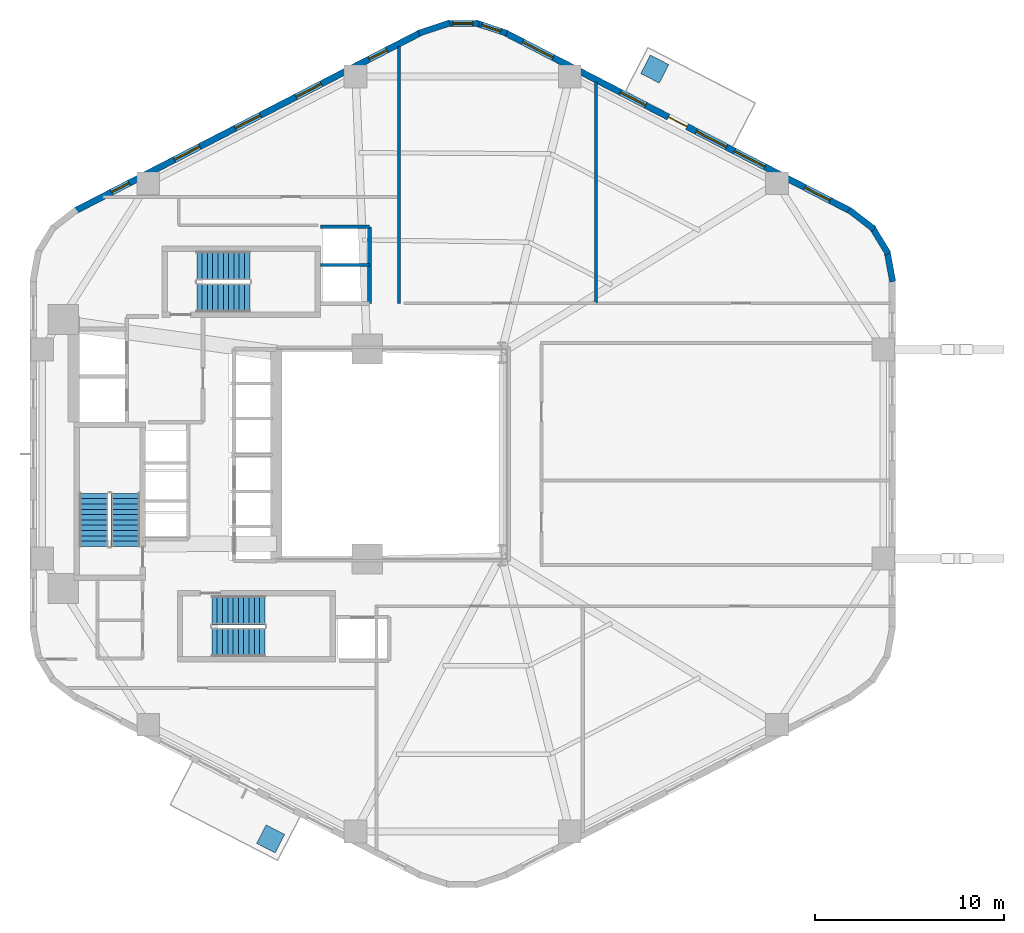
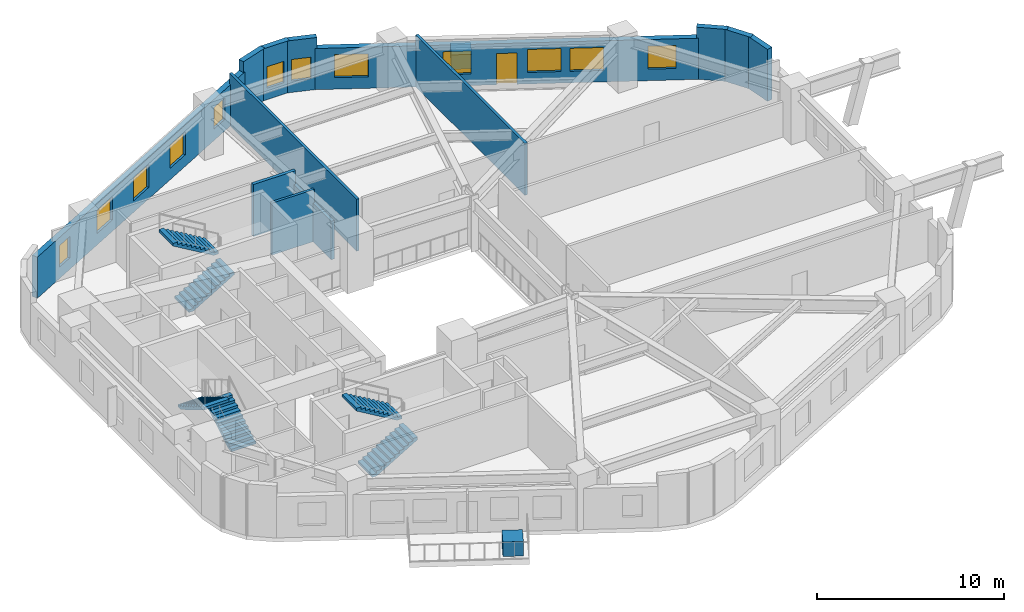
# One storey, part 5 of 7: 13 walls, 12 windows, 6 stair flights, 2 discrete accessories, 1 door, 13 openings, 3 elements without a shape of their own.
"""IFC4 building model written with IfcOpenShell, lengths in metres."""

from ifc_helpers import new_model, si_unit, direction, frame, frame_2d, origin, origin_2d, place, context, subcontext, project, spatial, polyline, rectangle, outline, extrude, material, layer, layer_set, type_object, element, fill, aggregate, save


model = new_model("IFC4")

# Units and contexts
model_context = context("Model", 3, precision=1e-05, world=origin(), true_north=direction((0.0, 1.0)))
body_context = subcontext(model_context, "Body", "Model", "MODEL_VIEW")
ifc_project = project(units=[si_unit("LENGTHUNIT", "METRE"), si_unit("AREAUNIT", "SQUARE_METRE"), si_unit("VOLUMEUNIT", "CUBIC_METRE"), si_unit("PLANEANGLEUNIT", "RADIAN"), si_unit("MASSUNIT", "GRAM", prefix="KILO"), si_unit("THERMODYNAMICTEMPERATUREUNIT", "KELVIN"), si_unit("POWERUNIT", "WATT")], contexts=[model_context])

# Site, building, storey
site_placement = place(None, origin())
site = spatial("IfcSite", under=ifc_project, at=site_placement, CompositionType="ELEMENT")
building_placement = place(site_placement, origin())
building = spatial("IfcBuilding", under=site, at=building_placement, Name="Skarre Station Tower", CompositionType="ELEMENT")
storey_placement = place(building_placement, frame((0.0, 0.0, 37.949951171875)))
storey = spatial("IfcBuildingStorey", under=building, at=storey_placement, Name="L09", CompositionType="ELEMENT", Elevation=37.949951171875)

# Wall, openings, windows, door
ifc_material_1 = material(Name="Precast concrete C45/55", Category="concrete")
ifc_layer_1 = layer(ifc_material_1, 0.340087890625, Name="Precast concrete C45/55")
ifc_layer_set_1 = layer_set([ifc_layer_1], Name="Precast concrete C45/55")
wall_type_1 = type_object("IfcWallType", Name="Nordic Honed Precast Facet Wall 340", PredefinedType="STANDARD", material=ifc_layer_set_1)
wall_1_placement = place(storey_placement, frame((39.631103515625, 46.257080078125, 0.0), z_axis=(0.0, 0.0, 1.0), x_axis=(0.888634413993, -0.458616264721, 0.0)))
wall_1 = element("IfcWall", 1, at=wall_1_placement, inside=storey, type_object=wall_type_1, Name="L09 Facet 0 Nordic Precast Masonry Wall", PredefinedType="STANDARD", context=body_context, shape_type="SweptSolid", body=[
    extrude(rectangle(XDim=20.53125, YDim=0.340087890625, at=frame_2d((10.265625, 0.0))), origin(), (0.0, 0.0, 1.0), 2.68408203125),
])
opening_1_placement = place(wall_1_placement, frame((9.716064453125, 0.0, 0.0)))
opening_1 = element("IfcOpeningElement", 2, at=opening_1_placement, cuts=wall_1, Name="Opening DR-BAL110", PredefinedType="OPENING", context=body_context, shape_type="SweptSolid", body=[
    extrude(rectangle(XDim=1.10009765625, YDim=2.0400390625, at=frame_2d((0.550048828125, 1.02001953125))), frame((0.0, 0.179931640625, 0.0), z_axis=(0.0, -1.0, 0.0), x_axis=(1.0, 0.0, 0.0)), (0.0, 0.0, 1.0), 0.360107421875),
])
opening_2_placement = place(wall_1_placement, frame((1.05810546875, 0.0, 0.75)))
opening_2 = element("IfcOpeningElement", 3, at=opening_2_placement, cuts=wall_1, Name="Opening WN-Z1A", PredefinedType="OPENING", context=body_context, shape_type="SweptSolid", body=[
    extrude(rectangle(XDim=1.800048828125, YDim=1.5, at=frame_2d((0.89990234375, 0.75))), frame((0.0, 0.179931640625, 0.0), z_axis=(0.0, -1.0, 0.0), x_axis=(1.0, 0.0, 0.0)), (0.0, 0.0, 1.0), 0.360107421875),
])
opening_3_placement = place(wall_1_placement, frame((6.862060546875, 0.0, 0.75)))
opening_3 = element("IfcOpeningElement", 4, at=opening_3_placement, cuts=wall_1, Name="Opening WN-Z1B", PredefinedType="OPENING", context=body_context, shape_type="SweptSolid", body=[
    extrude(rectangle(XDim=1.5, YDim=1.5, at=frame_2d((0.75, 0.75))), frame((0.0, 0.179931640625, 0.0), z_axis=(0.0, -1.0, 0.0), x_axis=(1.0, 0.0, 0.0)), (0.0, 0.0, 1.0), 0.360107421875),
])
opening_4_placement = place(wall_1_placement, frame((11.373046875, 0.0, 0.75)))
opening_4 = element("IfcOpeningElement", 5, at=opening_4_placement, cuts=wall_1, Name="Opening WN-Z1A", PredefinedType="OPENING", context=body_context, shape_type="SweptSolid", body=[
    extrude(rectangle(XDim=1.800048828125, YDim=1.5, at=frame_2d((0.89990234375, 0.75))), frame((0.0, 0.179931640625, 0.0), z_axis=(0.0, -1.0, 0.0), x_axis=(1.0, 0.0, 0.0)), (0.0, 0.0, 1.0), 0.360107421875),
])
opening_5_placement = place(wall_1_placement, frame((13.64794921875, 0.0, 0.75)))
opening_5 = element("IfcOpeningElement", 6, at=opening_5_placement, cuts=wall_1, Name="Opening WN-Z1A", PredefinedType="OPENING", context=body_context, shape_type="SweptSolid", body=[
    extrude(rectangle(XDim=1.800048828125, YDim=1.5, at=frame_2d((0.89990234375, 0.75))), frame((0.0, 0.179931640625, 0.0), z_axis=(0.0, -1.0, 0.0), x_axis=(1.0, 0.0, 0.0)), (0.0, 0.0, 1.0), 0.360107421875),
])
opening_6_placement = place(wall_1_placement, frame((17.822998046875, 0.0, 0.75)))
opening_6 = element("IfcOpeningElement", 7, at=opening_6_placement, cuts=wall_1, Name="Opening WN-Z1B", PredefinedType="OPENING", context=body_context, shape_type="SweptSolid", body=[
    extrude(rectangle(XDim=1.5, YDim=1.5, at=frame_2d((0.75, 0.75))), frame((0.0, 0.179931640625, 0.0), z_axis=(0.0, -1.0, 0.0), x_axis=(1.0, 0.0, 0.0)), (0.0, 0.0, 1.0), 0.360107421875),
])
ifc_material_2 = material(Name="Low-Iron Triple Glazing with Bronze Anodized Frame", Category="glass")
window_type_1 = type_object("IfcWindowType", Name="Nordic Punched Triple-Glazed Window 1500x1500", PartitioningType="SINGLE_PANEL", PredefinedType="WINDOW", material=ifc_material_2)
window_1_placement = place(opening_3_placement, origin())
window_1 = element("IfcWindow", 8, at=window_1_placement, inside=storey, type_object=window_type_1, Name="L09 Facade Window WL-FAC-L09-F0-2", OverallHeight=1.5, OverallWidth=1.5, PartitioningType="SINGLE_PANEL", PredefinedType="WINDOW", context=body_context, shape_type="SweptSolid", body=[
    extrude(rectangle(XDim=1.5, YDim=1.5, at=frame_2d((0.75, 0.75))), frame((0.0, 0.030029296875, 0.0), z_axis=(0.0, -1.0, 0.0), x_axis=(1.0, 0.0, 0.0)), (0.0, 0.0, 1.0), 0.06005859375),
])
fill(opening_3, window_1)
window_2_placement = place(opening_6_placement, origin())
window_2 = element("IfcWindow", 9, at=window_2_placement, inside=storey, type_object=window_type_1, Name="L09 Facade Window WL-FAC-L09-F0-5", OverallHeight=1.5, OverallWidth=1.5, PartitioningType="SINGLE_PANEL", PredefinedType="WINDOW", context=body_context, shape_type="SweptSolid", body=[
    extrude(rectangle(XDim=1.5, YDim=1.5, at=frame_2d((0.75, 0.75))), frame((0.0, 0.030029296875, 0.0), z_axis=(0.0, -1.0, 0.0), x_axis=(1.0, 0.0, 0.0)), (0.0, 0.0, 1.0), 0.06005859375),
])
fill(opening_6, window_2)
window_type_2 = type_object("IfcWindowType", Name="Nordic Punched Triple-Glazed Window 1800x1500", PartitioningType="SINGLE_PANEL", PredefinedType="WINDOW", material=ifc_material_2)
window_3_placement = place(opening_2_placement, origin())
window_3 = element("IfcWindow", 10, at=window_3_placement, inside=storey, type_object=window_type_2, Name="L09 Facade Window WL-FAC-L09-F0-1", OverallHeight=1.5, OverallWidth=1.800048828125, PartitioningType="SINGLE_PANEL", PredefinedType="WINDOW", context=body_context, shape_type="SweptSolid", body=[
    extrude(rectangle(XDim=1.800048828125, YDim=1.5, at=frame_2d((0.89990234375, 0.75))), frame((0.0, 0.030029296875, 0.0), z_axis=(0.0, -1.0, 0.0), x_axis=(1.0, 0.0, 0.0)), (0.0, 0.0, 1.0), 0.06005859375),
])
fill(opening_2, window_3)
window_4_placement = place(opening_4_placement, origin())
window_4 = element("IfcWindow", 11, at=window_4_placement, inside=storey, type_object=window_type_2, Name="L09 Facade Window WL-FAC-L09-F0-3", OverallHeight=1.5, OverallWidth=1.800048828125, PartitioningType="SINGLE_PANEL", PredefinedType="WINDOW", context=body_context, shape_type="SweptSolid", body=[
    extrude(rectangle(XDim=1.800048828125, YDim=1.5, at=frame_2d((0.89990234375, 0.75))), frame((0.0, 0.030029296875, 0.0), z_axis=(0.0, -1.0, 0.0), x_axis=(1.0, 0.0, 0.0)), (0.0, 0.0, 1.0), 0.06005859375),
])
fill(opening_4, window_4)
window_5_placement = place(opening_5_placement, origin())
window_5 = element("IfcWindow", 12, at=window_5_placement, inside=storey, type_object=window_type_2, Name="L09 Facade Window WL-FAC-L09-F0-4", OverallHeight=1.5, OverallWidth=1.800048828125, PartitioningType="SINGLE_PANEL", PredefinedType="WINDOW", context=body_context, shape_type="SweptSolid", body=[
    extrude(rectangle(XDim=1.800048828125, YDim=1.5, at=frame_2d((0.89990234375, 0.75))), frame((0.0, 0.030029296875, 0.0), z_axis=(0.0, -1.0, 0.0), x_axis=(1.0, 0.0, 0.0)), (0.0, 0.0, 1.0), 0.06005859375),
])
fill(opening_5, window_5)
ifc_material_3 = material(Name="Thermally Broken Aluminium & Triple Glazing", Category="aluminium")
door_type = type_object("IfcDoorType", Name="Terrace & Tree-Balcony Glazed Door 1100x2200", OperationType="SINGLE_SWING_LEFT", PredefinedType="DOOR", material=ifc_material_3)
door_placement = place(opening_1_placement, origin())
door = element("IfcDoor", 13, at=door_placement, inside=storey, type_object=door_type, Name="L09 TB-L09-F0 Tree-Balcony Glazed Door", OperationType="SINGLE_SWING_LEFT", OverallHeight=2.0400390625, OverallWidth=1.10009765625, PredefinedType="DOOR", context=body_context, shape_type="SweptSolid", body=[
    extrude(rectangle(XDim=1.10009765625, YDim=2.0400390625, at=frame_2d((0.550048828125, 1.02001953125))), frame((0.0, 0.02490234375, 0.0), z_axis=(0.0, -1.0, 0.0), x_axis=(1.0, 0.0, 0.0)), (0.0, 0.0, 1.0), 0.050048828125),
])
fill(opening_1, door)

# Wall, openings, windows
wall_2_placement = place(storey_placement, frame((16.924072265625, 36.841064453125, 0.0), z_axis=(0.0, 0.0, 1.0), x_axis=(0.888634413993, 0.458616264721, 0.0)))
wall_2 = element("IfcWall", 14, at=wall_2_placement, inside=storey, type_object=wall_type_1, Name="L09 Facet 1 Nordic Precast Masonry Wall", PredefinedType="STANDARD", context=body_context, shape_type="SweptSolid", body=[
    extrude(rectangle(XDim=20.53125, YDim=0.340087890625, at=frame_2d((10.265625, 0.0))), origin(), (0.0, 0.0, 1.0), 2.68408203125),
])
opening_7_placement = place(wall_2_placement, frame((2.160888671875, 0.0, 0.75)))
opening_7 = element("IfcOpeningElement", 15, at=opening_7_placement, cuts=wall_2, Name="Opening WN-SLT", PredefinedType="OPENING", context=body_context, shape_type="SweptSolid", body=[
    extrude(rectangle(XDim=1.050048828125, YDim=1.39990234375, at=frame_2d((0.52490234375, 0.699951171875))), frame((0.0, 0.179931640625, 0.0), z_axis=(0.0, -1.0, 0.0), x_axis=(1.0, 0.0, 0.0)), (0.0, 0.0, 1.0), 0.360107421875),
])
opening_8_placement = place(wall_2_placement, frame((5.903076171875, 0.0, 0.75)))
opening_8 = element("IfcOpeningElement", 16, at=opening_8_placement, cuts=wall_2, Name="Opening WN-Z1B", PredefinedType="OPENING", context=body_context, shape_type="SweptSolid", body=[
    extrude(rectangle(XDim=1.5, YDim=1.5, at=frame_2d((0.75, 0.75))), frame((0.0, 0.179931640625, 0.0), z_axis=(0.0, -1.0, 0.0), x_axis=(1.0, 0.0, 0.0)), (0.0, 0.0, 1.0), 0.360107421875),
])
opening_9_placement = place(wall_2_placement, frame((9.51611328125, 0.0, 0.75)))
opening_9 = element("IfcOpeningElement", 17, at=opening_9_placement, cuts=wall_2, Name="Opening WN-Z1B", PredefinedType="OPENING", context=body_context, shape_type="SweptSolid", body=[
    extrude(rectangle(XDim=1.5, YDim=1.5, at=frame_2d((0.75, 0.75))), frame((0.0, 0.179931640625, 0.0), z_axis=(0.0, -1.0, 0.0), x_axis=(1.0, 0.0, 0.0)), (0.0, 0.0, 1.0), 0.360107421875),
])
opening_10_placement = place(wall_2_placement, frame((13.12890625, 0.0, 0.75)))
opening_10 = element("IfcOpeningElement", 18, at=opening_10_placement, cuts=wall_2, Name="Opening WN-Z1B", PredefinedType="OPENING", context=body_context, shape_type="SweptSolid", body=[
    extrude(rectangle(XDim=1.5, YDim=1.5, at=frame_2d((0.75, 0.75))), frame((0.0, 0.179931640625, 0.0), z_axis=(0.0, -1.0, 0.0), x_axis=(1.0, 0.0, 0.0)), (0.0, 0.0, 1.0), 0.360107421875),
])
opening_11_placement = place(wall_2_placement, frame((17.47607421875, 0.0, 0.75)))
opening_11 = element("IfcOpeningElement", 19, at=opening_11_placement, cuts=wall_2, Name="Opening WN-SLT", PredefinedType="OPENING", context=body_context, shape_type="SweptSolid", body=[
    extrude(rectangle(XDim=1.050048828125, YDim=1.39990234375, at=frame_2d((0.52490234375, 0.699951171875))), frame((0.0, 0.179931640625, 0.0), z_axis=(0.0, -1.0, 0.0), x_axis=(1.0, 0.0, 0.0)), (0.0, 0.0, 1.0), 0.360107421875),
])
window_type_3 = type_object("IfcWindowType", Name="Nordic Corner Slot Window 1050x1400", PartitioningType="SINGLE_PANEL", PredefinedType="WINDOW", material=ifc_material_2)
window_6_placement = place(opening_7_placement, origin())
window_6 = element("IfcWindow", 20, at=window_6_placement, inside=storey, type_object=window_type_3, Name="L09 Facade Window WL-FAC-L09-F1-1", OverallHeight=1.39990234375, OverallWidth=1.050048828125, PartitioningType="SINGLE_PANEL", PredefinedType="WINDOW", context=body_context, shape_type="SweptSolid", body=[
    extrude(rectangle(XDim=1.050048828125, YDim=1.39990234375, at=frame_2d((0.52490234375, 0.699951171875))), frame((0.0, 0.030029296875, 0.0), z_axis=(0.0, -1.0, 0.0), x_axis=(1.0, 0.0, 0.0)), (0.0, 0.0, 1.0), 0.06005859375),
])
fill(opening_7, window_6)
window_7_placement = place(opening_11_placement, origin())
window_7 = element("IfcWindow", 21, at=window_7_placement, inside=storey, type_object=window_type_3, Name="L09 Facade Window WL-FAC-L09-F1-5", OverallHeight=1.39990234375, OverallWidth=1.050048828125, PartitioningType="SINGLE_PANEL", PredefinedType="WINDOW", context=body_context, shape_type="SweptSolid", body=[
    extrude(rectangle(XDim=1.050048828125, YDim=1.39990234375, at=frame_2d((0.52490234375, 0.699951171875))), frame((0.0, 0.030029296875, 0.0), z_axis=(0.0, -1.0, 0.0), x_axis=(1.0, 0.0, 0.0)), (0.0, 0.0, 1.0), 0.06005859375),
])
fill(opening_11, window_7)
window_8_placement = place(opening_8_placement, origin())
window_8 = element("IfcWindow", 22, at=window_8_placement, inside=storey, type_object=window_type_1, Name="L09 Facade Window WL-FAC-L09-F1-2", OverallHeight=1.5, OverallWidth=1.5, PartitioningType="SINGLE_PANEL", PredefinedType="WINDOW", context=body_context, shape_type="SweptSolid", body=[
    extrude(rectangle(XDim=1.5, YDim=1.5, at=frame_2d((0.75, 0.75))), frame((0.0, 0.030029296875, 0.0), z_axis=(0.0, -1.0, 0.0), x_axis=(1.0, 0.0, 0.0)), (0.0, 0.0, 1.0), 0.06005859375),
])
fill(opening_8, window_8)
window_9_placement = place(opening_9_placement, origin())
window_9 = element("IfcWindow", 23, at=window_9_placement, inside=storey, type_object=window_type_1, Name="L09 Facade Window WL-FAC-L09-F1-3", OverallHeight=1.5, OverallWidth=1.5, PartitioningType="SINGLE_PANEL", PredefinedType="WINDOW", context=body_context, shape_type="SweptSolid", body=[
    extrude(rectangle(XDim=1.5, YDim=1.5, at=frame_2d((0.75, 0.75))), frame((0.0, 0.030029296875, 0.0), z_axis=(0.0, -1.0, 0.0), x_axis=(1.0, 0.0, 0.0)), (0.0, 0.0, 1.0), 0.06005859375),
])
fill(opening_9, window_9)
window_10_placement = place(opening_10_placement, origin())
window_10 = element("IfcWindow", 24, at=window_10_placement, inside=storey, type_object=window_type_1, Name="L09 Facade Window WL-FAC-L09-F1-4", OverallHeight=1.5, OverallWidth=1.5, PartitioningType="SINGLE_PANEL", PredefinedType="WINDOW", context=body_context, shape_type="SweptSolid", body=[
    extrude(rectangle(XDim=1.5, YDim=1.5, at=frame_2d((0.75, 0.75))), frame((0.0, 0.030029296875, 0.0), z_axis=(0.0, -1.0, 0.0), x_axis=(1.0, 0.0, 0.0)), (0.0, 0.0, 1.0), 0.06005859375),
])
fill(opening_10, window_10)

# Walls
ifc_layer_2 = layer(ifc_material_1, 0.330078125, Name="Precast concrete C45/55")
ifc_layer_set_2 = layer_set([ifc_layer_2], Name="Precast concrete C45/55")
wall_type_2 = type_object("IfcWallType", Name="Nordic Rounded Corner Precast Wall 330", PredefinedType="STANDARD", material=ifc_layer_set_2)
wall_3_placement = place(storey_placement, frame((57.802001953125, 36.90087890625, 0.0), z_axis=(0.0, 0.0, 1.0), x_axis=(0.790691856293, -0.61221433207, 0.0)))
element("IfcWall", 25, at=wall_3_placement, inside=storey, type_object=wall_type_2, Name="L09 Rounded Corner Precast Wall F0-1", PredefinedType="STANDARD", context=body_context, shape_type="SweptSolid", body=[
    extrude(rectangle(XDim=1.67578125, YDim=0.330078125, at=frame_2d((0.837890625, 0.0))), origin(), (0.0, 0.0, 1.0), 3.39013671875),
])
wall_4_placement = place(storey_placement, frame((59.001953125, 36.014892578125, 0.0), z_axis=(0.0, 0.0, 1.0), x_axis=(0.520584129191, -0.853810379671, 0.0)))
element("IfcWall", 26, at=wall_4_placement, inside=storey, type_object=wall_type_2, Name="L09 Rounded Corner Precast Wall F0-2", PredefinedType="STANDARD", context=body_context, shape_type="SweptSolid", body=[
    extrude(rectangle(XDim=1.677001953125, YDim=0.330078125, at=frame_2d((0.83837890625, 0.0))), origin(), (0.0, 0.0, 1.0), 3.39013671875),
])
wall_5_placement = place(storey_placement, frame((59.80810546875, 34.758056640625, 0.0), z_axis=(0.0, 0.0, 1.0), x_axis=(0.181714143354, -0.983351397063, 0.0)))
element("IfcWall", 27, at=wall_5_placement, inside=storey, type_object=wall_type_2, Name="L09 Rounded Corner Precast Wall F0-3", PredefinedType="STANDARD", context=body_context, shape_type="SweptSolid", body=[
    extrude(rectangle(XDim=1.677978515625, YDim=0.330078125, at=frame_2d((0.8388671875, 0.0))), origin(), (0.0, 0.0, 1.0), 3.39013671875),
])
wall_6_placement = place(storey_placement, frame((35.0810546875, 46.23095703125, 0.0), z_axis=(0.0, 0.0, 1.0), x_axis=(0.94976901097, 0.312951794691, 0.0)))
element("IfcWall", 28, at=wall_6_placement, inside=storey, type_object=wall_type_2, Name="L09 Rounded Corner Precast Wall F1-1", PredefinedType="STANDARD", context=body_context, shape_type="SweptSolid", body=[
    extrude(rectangle(XDim=1.722412109375, YDim=0.330078125, at=frame_2d((0.861328125, 0.0))), origin(), (0.0, 0.0, 1.0), 3.39013671875),
])

# Wall, opening, window
wall_7_placement = place(storey_placement, frame((36.5390625, 46.740966796875, 0.0), z_axis=(0.0, 0.0, 1.0), x_axis=(1.0, 0.0, 0.0)))
wall_7 = element("IfcWall", 29, at=wall_7_placement, inside=storey, type_object=wall_type_2, Name="L09 Rounded Corner Precast Wall F1-2", PredefinedType="STANDARD", context=body_context, shape_type="SweptSolid", body=[
    extrude(rectangle(XDim=1.721923828125, YDim=0.330078125, at=frame_2d((0.86083984375, 0.0))), origin(), (0.0, 0.0, 1.0), 3.39013671875),
])
opening_12_placement = place(wall_7_placement, frame((0.3359375, 0.0, 0.75)))
opening_12 = element("IfcOpeningElement", 30, at=opening_12_placement, cuts=wall_7, Name="Opening WN-SLT", PredefinedType="OPENING", context=body_context, shape_type="SweptSolid", body=[
    extrude(rectangle(XDim=1.050048828125, YDim=1.39990234375, at=frame_2d((0.52490234375, 0.699951171875))), frame((0.0, 0.175048828125, 0.0), z_axis=(0.0, -1.0, 0.0), x_axis=(1.0, 0.0, 0.0)), (0.0, 0.0, 1.0), 0.35009765625),
])
window_11_placement = place(opening_12_placement, origin())
window_11 = element("IfcWindow", 31, at=window_11_placement, inside=storey, type_object=window_type_3, Name="L09 Apex Corner Slot Window F1-2", OverallHeight=1.39990234375, OverallWidth=1.050048828125, PartitioningType="SINGLE_PANEL", PredefinedType="WINDOW", context=body_context, shape_type="SweptSolid", body=[
    extrude(rectangle(XDim=1.050048828125, YDim=1.39990234375, at=frame_2d((0.52490234375, 0.699951171875))), frame((0.0, 0.030029296875, 0.0), z_axis=(0.0, -1.0, 0.0), x_axis=(1.0, 0.0, 0.0)), (0.0, 0.0, 1.0), 0.06005859375),
])
fill(opening_12, window_11)

wall_8_placement = place(storey_placement, frame((38.0830078125, 46.77001953125, 0.0), z_axis=(0.0, 0.0, 1.0), x_axis=(0.94976901097, -0.312951794691, 0.0)))
wall_8 = element("IfcWall", 32, at=wall_8_placement, inside=storey, type_object=wall_type_2, Name="L09 Rounded Corner Precast Wall F1-3", PredefinedType="STANDARD", context=body_context, shape_type="SweptSolid", body=[
    extrude(rectangle(XDim=1.722412109375, YDim=0.330078125, at=frame_2d((0.861328125, 0.0))), origin(), (0.0, 0.0, 1.0), 3.39013671875),
])
opening_13_placement = place(wall_8_placement, frame((0.3359375, 0.0, 0.75)))
opening_13 = element("IfcOpeningElement", 33, at=opening_13_placement, cuts=wall_8, Name="Opening WN-SLT", PredefinedType="OPENING", context=body_context, shape_type="SweptSolid", body=[
    extrude(rectangle(XDim=1.050048828125, YDim=1.39990234375, at=frame_2d((0.52490234375, 0.699951171875))), frame((0.0, 0.175048828125, 0.0), z_axis=(0.0, -1.0, 0.0), x_axis=(1.0, 0.0, 0.0)), (0.0, 0.0, 1.0), 0.35009765625),
])
window_12_placement = place(opening_13_placement, origin())
window_12 = element("IfcWindow", 34, at=window_12_placement, inside=storey, type_object=window_type_3, Name="L09 Apex Corner Slot Window F1-3", OverallHeight=1.39990234375, OverallWidth=1.050048828125, PartitioningType="SINGLE_PANEL", PredefinedType="WINDOW", context=body_context, shape_type="SweptSolid", body=[
    extrude(rectangle(XDim=1.050048828125, YDim=1.39990234375, at=frame_2d((0.52490234375, 0.699951171875))), frame((0.0, 0.030029296875, 0.0), z_axis=(0.0, -1.0, 0.0), x_axis=(1.0, 0.0, 0.0)), (0.0, 0.0, 1.0), 0.06005859375),
])
fill(opening_13, window_12)

# Walls
ifc_material_4 = material(Name="Gypsum Concrete Shaft Assembly C30/37", Category="concrete")
ifc_layer_3 = layer(ifc_material_4, 0.199951171875, Name="Gypsum Concrete Shaft Assembly C30/37")
ifc_layer_set_3 = layer_set([ifc_layer_3], Name="Gypsum Concrete Shaft Assembly C30/37")
wall_type_3 = type_object("IfcWallType", Name="Shaft & Core Fire Partition 200", PredefinedType="PARTITIONING", material=ifc_layer_set_3)
wall_9_placement = place(storey_placement, frame((32.47998046875, 31.949951171875, 0.0), z_axis=(0.0, 0.0, 1.0), x_axis=(0.0, 1.0, 0.0)))
element("IfcWall", 35, at=wall_9_placement, inside=storey, type_object=wall_type_3, Name="L09 Interior Partition WL-PT-L09-EX-E", PredefinedType="PARTITIONING", context=body_context, shape_type="SweptSolid", body=[
    extrude(rectangle(XDim=4.050048828125, YDim=0.199951171875, at=frame_2d((2.02490234375, 0.0))), origin(), (0.0, 0.0, 1.0), 2.512939453125),
])
wall_10_placement = place(storey_placement, frame((29.8798828125, 36.0, 0.0), z_axis=(0.0, 0.0, 1.0), x_axis=(1.0, 0.0, 0.0)))
element("IfcWall", 36, at=wall_10_placement, inside=storey, type_object=wall_type_3, Name="L09 Interior Partition WL-PT-L09-EX-N", PredefinedType="PARTITIONING", context=body_context, shape_type="SweptSolid", body=[
    extrude(rectangle(XDim=2.60009765625, YDim=0.199951171875, at=frame_2d((1.300048828125, 0.0))), origin(), (0.0, 0.0, 1.0), 3.39013671875),
])
wall_11_placement = place(storey_placement, frame((29.875, 33.97998046875, 0.0), z_axis=(0.0, 0.0, 1.0), x_axis=(1.0, 0.0, 0.0)))
element("IfcWall", 37, at=wall_11_placement, inside=storey, type_object=wall_type_3, Name="L09 Interior Partition WL-PT-L09-EX-DIV", PredefinedType="PARTITIONING", context=body_context, shape_type="SweptSolid", body=[
    extrude(rectangle(XDim=2.60498046875, YDim=0.159912109375, at=frame_2d((1.302490234375, 0.0))), origin(), (0.0, 0.0, 1.0), 3.39013671875),
])
ifc_material_5 = material(Name="Acoustic Steel-Stud Gypsum Partition", Category="steel")
ifc_layer_4 = layer(ifc_material_5, 0.1650390625, Name="Acoustic Steel-Stud Gypsum Partition")
ifc_layer_set_4 = layer_set([ifc_layer_4], Name="Acoustic Steel-Stud Gypsum Partition")
wall_type_4 = type_object("IfcWallType", Name="Suite Demising Acoustic Partition 165", PredefinedType="PARTITIONING", material=ifc_layer_set_4)
wall_12_placement = place(storey_placement, frame((34.0400390625, 31.9599609375, 0.0), z_axis=(0.0, 0.0, 1.0), x_axis=(0.0, 1.0, 0.0)))
element("IfcWall", 38, at=wall_12_placement, inside=storey, type_object=wall_type_4, Name="L09 Interior Partition WL-PT-L09-NW-WBND", PredefinedType="PARTITIONING", context=body_context, shape_type="SweptSolid", body=[
    extrude(rectangle(XDim=13.5791015625, YDim=0.1650390625, at=frame_2d((6.78955078125, 0.0))), origin(), (0.0, 0.0, 1.0), 3.39013671875),
])
wall_13_placement = place(storey_placement, frame((44.43310546875, 31.969970703125, 0.0), z_axis=(0.0, 0.0, 1.0), x_axis=(0.0, 1.0, 0.0)))
element("IfcWall", 39, at=wall_13_placement, inside=storey, type_object=wall_type_4, Name="L09 Interior Partition WL-PT-L09-NW-P1", PredefinedType="PARTITIONING", context=body_context, shape_type="SweptSolid", body=[
    extrude(rectangle(XDim=11.674072265625, YDim=0.1650390625, at=frame_2d((5.8369140625, 0.0))), origin(), (0.0, 0.0, 1.0), 3.39013671875),
])

# Stair, stair flights
ifc_material_6 = material(Name="Concrete C40/50", Category="concrete")
stair_type_1 = type_object("IfcStairType", Name="Reinforced Concrete Exit Stair ST-1", PredefinedType="HALF_TURN_STAIR", material=ifc_material_6)
stair_1_placement = place(storey_placement, origin())
stair_1 = element("IfcStair", 40, at=stair_1_placement, inside=storey, type_object=stair_type_1, Name="L09 Core Exit Stair ST-1", PredefinedType="HALF_TURN_STAIR")
stair_flight_type_1 = type_object("IfcStairFlightType", Name="Reinforced Concrete Stair Flight ST-1", PredefinedType="STRAIGHT", material=ifc_material_6)
stair_flight_1_placement = place(storey_placement, frame((19.590087890625, 19.1201171875, 0.0), z_axis=(0.0, 0.0, 1.0), x_axis=(0.0, 1.0, 0.0)))
stair_flight_1 = element("IfcStairFlight", 41, at=stair_flight_1_placement, type_object=stair_flight_type_1, Name="ST-1 flight 1", NumberOfRisers=11, NumberOfTreads=10, PredefinedType="STRAIGHT", RiserHeight=0.165909091, TreadLength=0.28, context=body_context, shape_type="SweptSolid", body=[
    extrude(outline(polyline([(0.0, 0.0), (0.0, 0.166015625), (0.280029296875, 0.166015625), (0.280029296875, 0.331787109375), (0.56005859375, 0.331787109375), (0.56005859375, 0.497802734375), (0.840087890625, 0.497802734375), (0.840087890625, 0.66357421875), (1.1201171875, 0.66357421875), (1.1201171875, 0.82958984375), (1.39990234375, 0.82958984375), (1.39990234375, 0.995361328125), (1.679931640625, 0.995361328125), (1.679931640625, 1.161376953125), (1.9599609375, 1.161376953125), (1.9599609375, 1.327392578125), (2.239990234375, 1.327392578125), (2.239990234375, 1.4931640625), (2.52001953125, 1.4931640625), (2.52001953125, 1.6591796875), (2.800048828125, 1.6591796875), (2.800048828125, 1.824951171875), (2.800048828125, 1.48486328125), (0.2939453125, 0.0), (0.0, 0.0)])), frame((0.0, 0.760009765625, 0.0), z_axis=(0.0, -1.0, 0.0), x_axis=(1.0, 0.0, 0.0)), (0.0, 0.0, 1.0), 1.52001953125),
])
stair_flight_2_placement = place(storey_placement, frame((17.909912109375, 21.919921875, 1.824951171875), z_axis=(0.0, 0.0, 1.0), x_axis=(0.0, -1.0, 0.0)))
stair_flight_2 = element("IfcStairFlight", 42, at=stair_flight_2_placement, type_object=stair_flight_type_1, Name="ST-1 flight 2", NumberOfRisers=11, NumberOfTreads=10, PredefinedType="STRAIGHT", RiserHeight=0.165909091, TreadLength=0.28, context=body_context, shape_type="SweptSolid", body=[
    extrude(outline(polyline([(0.0, 0.0), (0.0, 0.166015625), (0.280029296875, 0.166015625), (0.280029296875, 0.331787109375), (0.56005859375, 0.331787109375), (0.56005859375, 0.497802734375), (0.840087890625, 0.497802734375), (0.840087890625, 0.66357421875), (1.1201171875, 0.66357421875), (1.1201171875, 0.82958984375), (1.39990234375, 0.82958984375), (1.39990234375, 0.995361328125), (1.679931640625, 0.995361328125), (1.679931640625, 1.161376953125), (1.9599609375, 1.161376953125), (1.9599609375, 1.327392578125), (2.239990234375, 1.327392578125), (2.239990234375, 1.4931640625), (2.52001953125, 1.4931640625), (2.52001953125, 1.6591796875), (2.800048828125, 1.6591796875), (2.800048828125, 1.824951171875), (2.800048828125, 1.48486328125), (0.2939453125, 0.0), (0.0, 0.0)])), frame((0.0, 0.760009765625, 0.0), z_axis=(0.0, -1.0, 0.0), x_axis=(1.0, 0.0, 0.0)), (0.0, 0.0, 1.0), 1.52001953125),
])
aggregate(stair_1, [stair_flight_1, stair_flight_2])

stair_type_2 = type_object("IfcStairType", Name="Reinforced Concrete Exit Stair ST-2", PredefinedType="HALF_TURN_STAIR", material=ifc_material_6)
stair_2_placement = place(storey_placement, origin())
stair_2 = element("IfcStair", 43, at=stair_2_placement, inside=storey, type_object=stair_type_2, Name="L09 Core Exit Stair ST-2", PredefinedType="HALF_TURN_STAIR")
stair_flight_type_2 = type_object("IfcStairFlightType", Name="Reinforced Concrete Stair Flight ST-2", PredefinedType="STRAIGHT", material=ifc_material_6)
stair_flight_3_placement = place(storey_placement, frame((24.14990234375, 14.06005859375, 0.0), z_axis=(0.0, 0.0, 1.0), x_axis=(1.0, 0.0, 0.0)))
stair_flight_3 = element("IfcStairFlight", 44, at=stair_flight_3_placement, type_object=stair_flight_type_2, Name="ST-2 flight 1", NumberOfRisers=11, NumberOfTreads=10, PredefinedType="STRAIGHT", RiserHeight=0.165909091, TreadLength=0.28, context=body_context, shape_type="SweptSolid", body=[
    extrude(outline(polyline([(0.0, 0.0), (0.0, 0.166015625), (0.280029296875, 0.166015625), (0.280029296875, 0.331787109375), (0.56005859375, 0.331787109375), (0.56005859375, 0.497802734375), (0.840087890625, 0.497802734375), (0.840087890625, 0.66357421875), (1.1201171875, 0.66357421875), (1.1201171875, 0.82958984375), (1.39990234375, 0.82958984375), (1.39990234375, 0.995361328125), (1.679931640625, 0.995361328125), (1.679931640625, 1.161376953125), (1.9599609375, 1.161376953125), (1.9599609375, 1.327392578125), (2.239990234375, 1.327392578125), (2.239990234375, 1.4931640625), (2.52001953125, 1.4931640625), (2.52001953125, 1.6591796875), (2.800048828125, 1.6591796875), (2.800048828125, 1.824951171875), (2.800048828125, 1.48486328125), (0.2939453125, 0.0), (0.0, 0.0)])), frame((0.0, 0.760009765625, 0.0), z_axis=(0.0, -1.0, 0.0), x_axis=(1.0, 0.0, 0.0)), (0.0, 0.0, 1.0), 1.52001953125),
])
stair_flight_4_placement = place(storey_placement, frame((26.949951171875, 15.739990234375, 1.824951171875), z_axis=(0.0, 0.0, 1.0), x_axis=(-1.0, 0.0, 0.0)))
stair_flight_4 = element("IfcStairFlight", 45, at=stair_flight_4_placement, type_object=stair_flight_type_2, Name="ST-2 flight 2", NumberOfRisers=11, NumberOfTreads=10, PredefinedType="STRAIGHT", RiserHeight=0.165909091, TreadLength=0.28, context=body_context, shape_type="SweptSolid", body=[
    extrude(outline(polyline([(0.0, 0.0), (0.0, 0.166015625), (0.280029296875, 0.166015625), (0.280029296875, 0.331787109375), (0.56005859375, 0.331787109375), (0.56005859375, 0.497802734375), (0.840087890625, 0.497802734375), (0.840087890625, 0.66357421875), (1.1201171875, 0.66357421875), (1.1201171875, 0.82958984375), (1.39990234375, 0.82958984375), (1.39990234375, 0.995361328125), (1.679931640625, 0.995361328125), (1.679931640625, 1.161376953125), (1.9599609375, 1.161376953125), (1.9599609375, 1.327392578125), (2.239990234375, 1.327392578125), (2.239990234375, 1.4931640625), (2.52001953125, 1.4931640625), (2.52001953125, 1.6591796875), (2.800048828125, 1.6591796875), (2.800048828125, 1.824951171875), (2.800048828125, 1.48486328125), (0.2939453125, 0.0), (0.0, 0.0)])), frame((0.0, 0.760009765625, 0.0), z_axis=(0.0, -1.0, 0.0), x_axis=(1.0, 0.0, 0.0)), (0.0, 0.0, 1.0), 1.52001953125),
])
aggregate(stair_2, [stair_flight_3, stair_flight_4])

stair_type_3 = type_object("IfcStairType", Name="Reinforced Concrete Exit Stair ST-3", PredefinedType="HALF_TURN_STAIR", material=ifc_material_6)
stair_3_placement = place(storey_placement, origin())
stair_3 = element("IfcStair", 46, at=stair_3_placement, inside=storey, type_object=stair_type_3, Name="L09 Core Exit Stair ST-3", PredefinedType="HALF_TURN_STAIR")
stair_flight_type_3 = type_object("IfcStairFlightType", Name="Reinforced Concrete Stair Flight ST-3", PredefinedType="STRAIGHT", material=ifc_material_6)
stair_flight_5_placement = place(storey_placement, frame((23.35009765625, 32.260009765625, 0.0), z_axis=(0.0, 0.0, 1.0), x_axis=(1.0, 0.0, 0.0)))
stair_flight_5 = element("IfcStairFlight", 47, at=stair_flight_5_placement, type_object=stair_flight_type_3, Name="ST-3 flight 1", NumberOfRisers=11, NumberOfTreads=10, PredefinedType="STRAIGHT", RiserHeight=0.165909091, TreadLength=0.28, context=body_context, shape_type="SweptSolid", body=[
    extrude(outline(polyline([(0.0, 0.0), (0.0, 0.166015625), (0.280029296875, 0.166015625), (0.280029296875, 0.331787109375), (0.56005859375, 0.331787109375), (0.56005859375, 0.497802734375), (0.840087890625, 0.497802734375), (0.840087890625, 0.66357421875), (1.1201171875, 0.66357421875), (1.1201171875, 0.82958984375), (1.39990234375, 0.82958984375), (1.39990234375, 0.995361328125), (1.679931640625, 0.995361328125), (1.679931640625, 1.161376953125), (1.9599609375, 1.161376953125), (1.9599609375, 1.327392578125), (2.239990234375, 1.327392578125), (2.239990234375, 1.4931640625), (2.52001953125, 1.4931640625), (2.52001953125, 1.6591796875), (2.800048828125, 1.6591796875), (2.800048828125, 1.824951171875), (2.800048828125, 1.48486328125), (0.2939453125, 0.0), (0.0, 0.0)])), frame((0.0, 0.760009765625, 0.0), z_axis=(0.0, -1.0, 0.0), x_axis=(1.0, 0.0, 0.0)), (0.0, 0.0, 1.0), 1.52001953125),
])
stair_flight_6_placement = place(storey_placement, frame((26.14990234375, 33.93994140625, 1.824951171875), z_axis=(0.0, 0.0, 1.0), x_axis=(-1.0, 0.0, 0.0)))
stair_flight_6 = element("IfcStairFlight", 48, at=stair_flight_6_placement, type_object=stair_flight_type_3, Name="ST-3 flight 2", NumberOfRisers=11, NumberOfTreads=10, PredefinedType="STRAIGHT", RiserHeight=0.165909091, TreadLength=0.28, context=body_context, shape_type="SweptSolid", body=[
    extrude(outline(polyline([(0.0, 0.0), (0.0, 0.166015625), (0.280029296875, 0.166015625), (0.280029296875, 0.331787109375), (0.56005859375, 0.331787109375), (0.56005859375, 0.497802734375), (0.840087890625, 0.497802734375), (0.840087890625, 0.66357421875), (1.1201171875, 0.66357421875), (1.1201171875, 0.82958984375), (1.39990234375, 0.82958984375), (1.39990234375, 0.995361328125), (1.679931640625, 0.995361328125), (1.679931640625, 1.161376953125), (1.9599609375, 1.161376953125), (1.9599609375, 1.327392578125), (2.239990234375, 1.327392578125), (2.239990234375, 1.4931640625), (2.52001953125, 1.4931640625), (2.52001953125, 1.6591796875), (2.800048828125, 1.6591796875), (2.800048828125, 1.824951171875), (2.800048828125, 1.48486328125), (0.2939453125, 0.0), (0.0, 0.0)])), frame((0.0, 0.760009765625, 0.0), z_axis=(0.0, -1.0, 0.0), x_axis=(1.0, 0.0, 0.0)), (0.0, 0.0, 1.0), 1.52001953125),
])
aggregate(stair_3, [stair_flight_5, stair_flight_6])

# Discrete accessories
discrete_accessory_type = type_object("IfcDiscreteAccessoryType", Name="Insulated Precast Tree Planter Trough 1100x1100x950", PredefinedType="USERDEFINED", material=ifc_material_1)
for number, where, z_axis, x_axis, name in (
    (49, (47.5458984375, 44.3330078125, 0.0), (0.0, 0.0, 1.0), (0.458618535612, 0.888633242003, 0.0), "L09 TB-L09-F0 Insulated Precast Tree Planter Trough"),
    (50, (27.25390625, 3.6669921875, 0.0), (0.0, 0.0, 1.0), (-0.458618535612, -0.888633242003, 0.0), "L09 TB-L09-F3 Insulated Precast Tree Planter Trough"),
):
    element("IfcDiscreteAccessory", number, at=place(storey_placement, frame(where, z_axis=z_axis, x_axis=x_axis)), inside=storey, type_object=discrete_accessory_type, Name=name, ObjectType="PLANTER", PredefinedType="USERDEFINED", context=body_context, shape_type="SweptSolid", body=[
        extrude(rectangle(XDim=1.10009765625, YDim=1.10009765625, at=origin_2d()), origin(), (0.0, 0.0, 1.0), 0.949951171875),
    ])

save(model, "model.ifc")
